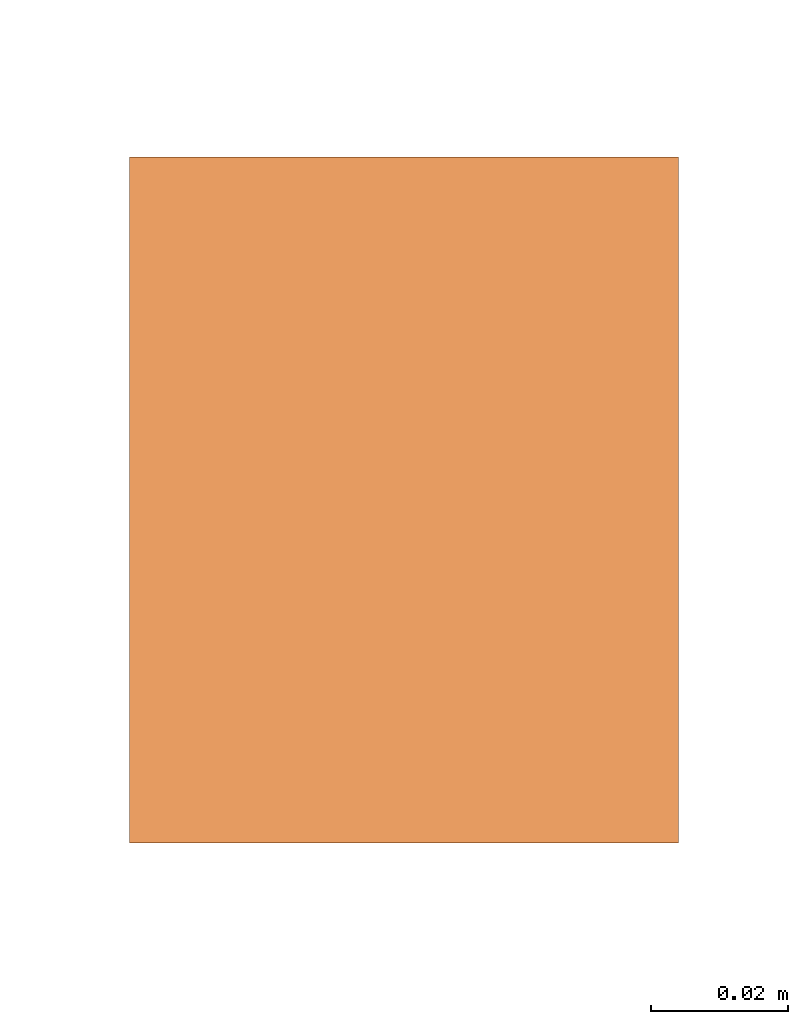
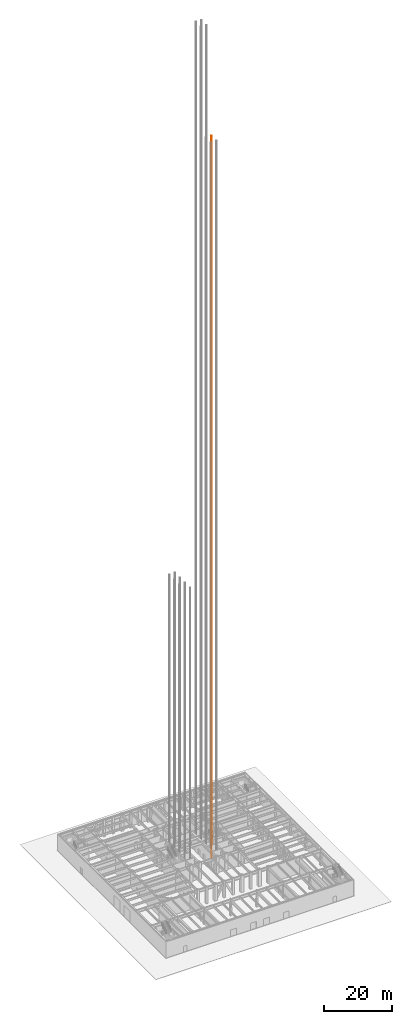
# One storey, part 31 of 35: 1 proxy.
"""IFC4 building model written with IfcOpenShell, lengths in metres."""

from ifc_helpers import new_model, si_unit, direction, frame, origin, origin_2d, place, context, subcontext, project, spatial, rectangle, extrude, material, type_object, element, save


model = new_model("IFC4")

# Units and contexts
model_context = context("Model", 3, precision=1e-05, world=origin(), true_north=direction((0.0, 1.0)))
body_context = subcontext(model_context, "Body", "Model", "MODEL_VIEW")
ifc_project = project(units=[si_unit("LENGTHUNIT", "METRE"), si_unit("AREAUNIT", "SQUARE_METRE"), si_unit("VOLUMEUNIT", "CUBIC_METRE"), si_unit("PLANEANGLEUNIT", "RADIAN"), si_unit("MASSUNIT", "GRAM", prefix="KILO")], contexts=[model_context])

# Site, building, storey
site_placement = place(None, origin())
site = spatial("IfcSite", under=ifc_project, at=site_placement, CompositionType="ELEMENT")
building_placement = place(site_placement, origin())
building = spatial("IfcBuilding", under=site, at=building_placement, Name="Chuquiago Exchange Tower", CompositionType="ELEMENT")
storey_placement = place(building_placement, origin())
storey = spatial("IfcBuildingStorey", under=building, at=storey_placement, Name="L00", CompositionType="ELEMENT", Elevation=0.0)

# Proxy
ifc_material = material(Name="Galvanised steel guide rail", Category="steel")
building_element_proxy_type = type_object("IfcBuildingElementProxyType", Name="LR lift guide rail", PredefinedType="NOTDEFINED", material=ifc_material)
proxy_placement = place(storey_placement, frame((27.93505859375, 19.5, 0.0), z_axis=(0.0, 0.0, 1.0), x_axis=(1.0, 0.0, 0.0)))
element("IfcBuildingElementProxy", 1, at=proxy_placement, inside=storey, type_object=building_element_proxy_type, Name="Lift LS2 guide rail E", PredefinedType="NOTDEFINED", context=body_context, shape_type="SweptSolid", body=[
    extrude(rectangle(XDim=0.080078125, YDim=0.10009765625, at=origin_2d()), origin(), (0.0, 0.0, 1.0), 260.60009765625),
])

save(model, "model.ifc")
